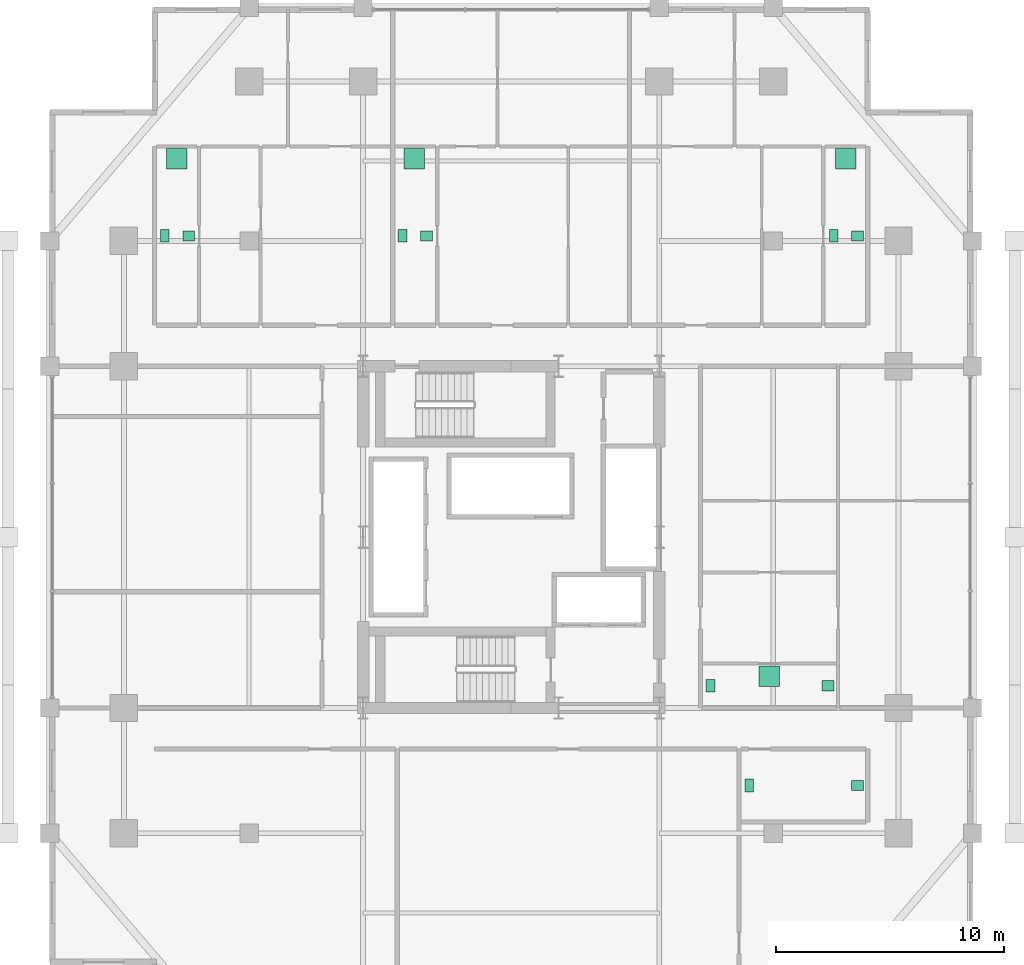
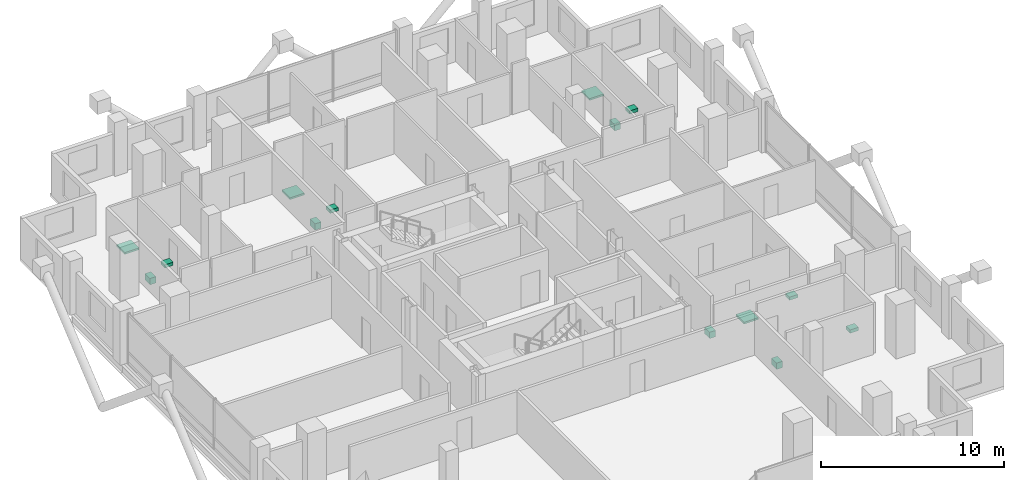
# One storey, part 22 of 22: 14 sanitary terminals.
"""IFC4 building model written with IfcOpenShell, lengths in metres."""

import ifcopenshell
import ifcopenshell.guid

model = None  # the IFC model being written
_history = None  # IfcOwnerHistory: only IFC2X3 demands one
_inside = {}  # id of a spatial element -> (the spatial element, [elements in it])
_under = {}  # id of a project, library or spatial element -> (it, [spatial elements below it])
_declared = {}  # id of a project -> (the project, [libraries it declares])
_typed = {}  # id of a type object -> (the type object, [elements of that type])
_made_of = {}  # id of a material, layer set ... -> (it, [elements and type objects made of it])


def new_model(schema):
    """Start an empty IFC model of exactly this schema.

    Asked for "IFC4X3", IfcOpenShell would pick the latest addendum, in which some entities
    have other attributes; the version numbers below select the first issue.
    IFC2X3 requires an IfcOwnerHistory on every rooted entity: one is made here for all.
    """
    global model, _history
    if schema == "IFC4X3":
        model = ifcopenshell.file(schema_version=(4, 3, 0, 0))
    else:
        model = ifcopenshell.file(schema=schema)
    _inside.clear()
    _under.clear()
    _declared.clear()
    _typed.clear()
    _made_of.clear()
    _history = None
    if model.schema == "IFC2X3":
        org = make("IfcOrganization", Name="unknown")
        user = make(
            "IfcPersonAndOrganization",
            ThePerson=make("IfcPerson", FamilyName="unknown"),
            TheOrganization=org,
        )
        app = make(
            "IfcApplication",
            ApplicationDeveloper=org,
            Version="unknown",
            ApplicationFullName="unknown",
            ApplicationIdentifier="unknown",
        )
        _history = make(
            "IfcOwnerHistory",
            OwningUser=user,
            OwningApplication=app,
            ChangeAction="ADDED",
            CreationDate=0,
        )
    return model


def make(cls, **values):
    """One entity of the class cls with the attributes given. An attribute that is None is left unset."""
    return model.create_entity(
        cls, **{name: value for name, value in values.items() if value is not None}
    )


def rooted(cls, **values):
    """An entity with a GlobalId (a new one), such as an element, a storey or a relation."""
    return make(cls, GlobalId=ifcopenshell.guid.new(), OwnerHistory=_history, **values)


def si_unit(unit_type, name, prefix=None):
    """IfcSIUnit, for example si_unit("LENGTHUNIT", "METRE", prefix="MILLI")."""
    return make("IfcSIUnit", UnitType=unit_type, Prefix=prefix, Name=name)


def assignment(units):
    """IfcUnitAssignment: the units of a project."""
    return None if units is None else make("IfcUnitAssignment", Units=units)


def point(xyz):
    """IfcCartesianPoint."""
    return None if xyz is None else make("IfcCartesianPoint", Coordinates=xyz)


def direction(xyz):
    """IfcDirection."""
    return None if xyz is None else make("IfcDirection", DirectionRatios=xyz)


def frame(location, z_axis=None, x_axis=None):
    """IfcAxis2Placement3D, a coordinate frame: its origin and axes. An axis left out is left unset."""
    return make(
        "IfcAxis2Placement3D",
        Location=point(location),
        Axis=direction(z_axis),
        RefDirection=direction(x_axis),
    )


def frame_2d(location, x_axis=None):
    """IfcAxis2Placement2D, a coordinate frame in the plane: its origin and x axis."""
    return make(
        "IfcAxis2Placement2D", Location=point(location), RefDirection=direction(x_axis)
    )


def origin():
    """The frame at (0, 0, 0) with its axes left unset."""
    return frame((0.0, 0.0, 0.0))


def origin_2d():
    """The frame at (0, 0) in the plane with its x axis left unset."""
    return frame_2d((0.0, 0.0))


def place(relative_to, where):
    """IfcLocalPlacement: puts the frame where relative to a parent placement (None: the world)."""
    return make(
        "IfcLocalPlacement", PlacementRelTo=relative_to, RelativePlacement=where
    )


def context(
    kind, dimensions, precision=None, world=None, true_north=None, identifier=None
):
    """IfcGeometricRepresentationContext, for example the 3D "Model" context."""
    return make(
        "IfcGeometricRepresentationContext",
        ContextIdentifier=identifier,
        ContextType=kind,
        CoordinateSpaceDimension=dimensions,
        Precision=precision,
        WorldCoordinateSystem=world,
        TrueNorth=true_north,
    )


def subcontext(parent, identifier, kind, view, scale=None):
    """IfcGeometricRepresentationSubContext, for example "Body" below "Model"."""
    return make(
        "IfcGeometricRepresentationSubContext",
        ContextIdentifier=identifier,
        ContextType=kind,
        ParentContext=parent,
        TargetScale=scale,
        TargetView=view,
    )


def project(units=None, contexts=None):
    """IfcProject with its units and contexts."""
    return rooted(
        "IfcProject",
        Name="project",
        RepresentationContexts=contexts,
        UnitsInContext=assignment(units),
    )


def spatial(cls, under=None, at=None, **own):
    """A site, building, storey or space (cls), placed at a placement, below another one or the project."""
    s = rooted(cls, ObjectPlacement=at, **own)
    if under is not None:
        _under.setdefault(under.id(), (under, []))[1].append(s)
    return s


def profile(cls, at=None, kind="AREA", **sizes):
    """A parametric profile (cls). Its sizes go by their IFC names, for example OverallWidth=200.0."""
    return make(cls, ProfileType=kind, Position=at, **sizes)


def rectangle(**sizes):
    """IfcRectangleProfileDef."""
    return profile("IfcRectangleProfileDef", **sizes)


def extrude(swept, where, along, depth):
    """IfcExtrudedAreaSolid: the profile swept, set in the frame where, extruded along a direction by depth."""
    return make(
        "IfcExtrudedAreaSolid",
        SweptArea=swept,
        Position=where,
        ExtrudedDirection=direction(along),
        Depth=depth,
    )


def shape(context_of_items, identifier, shape_type, items):
    """IfcShapeRepresentation: the items that make up one representation, for example the "Body"."""
    return make(
        "IfcShapeRepresentation",
        ContextOfItems=context_of_items,
        RepresentationIdentifier=identifier,
        RepresentationType=shape_type,
        Items=items,
    )


def material(Name=None, Category=None):
    """IfcMaterial."""
    return make("IfcMaterial", Name=Name, Category=Category)


def made_of(thing, what):
    """Note that an element or type object is made of a material, layer set ...; save() writes the relation."""
    if what is not None:
        _made_of.setdefault(what.id(), (what, []))[1].append(thing)
    return thing


def type_object(cls, material=None, **own):
    """A type object (cls), such as IfcWallType, which elements share."""
    return made_of(rooted(cls, **own), material)


def element(
    cls,
    number,
    at=None,
    inside=None,
    cuts=None,
    type_object=None,
    material=None,
    context=None,
    identifier="Body",
    shape_type=None,
    held_by="IfcProductDefinitionShape",
    body=None,
    shapes=None,
    **own,
):
    """One element of the class cls, such as IfcWall. Its Tag is "e" and its number.

    at: its placement. inside: the storey or other place that contains it. cuts: it is an
    opening in that element (IfcRelVoidsElement). A single representation is given by context,
    identifier, shape_type and body (its items); several are given by shapes. held_by: the class
    of the entity that holds the representations. save() writes the other relations.
    """
    e = rooted(cls, Tag="e%d" % number, ObjectPlacement=at, **own)
    if body is not None:
        shapes = [shape(context, identifier, shape_type, body)]
    if shapes is not None:
        e.Representation = make(held_by, Representations=shapes)
    if inside is not None:
        _inside.setdefault(inside.id(), (inside, []))[1].append(e)
    if cuts is not None:
        rooted(
            "IfcRelVoidsElement", RelatingBuildingElement=cuts, RelatedOpeningElement=e
        )
    if type_object is not None:
        _typed.setdefault(type_object.id(), (type_object, []))[1].append(e)
    return made_of(e, material)


def aggregate(whole, parts):
    """IfcRelAggregates: a whole, such as a stair, and the parts it consists of."""
    return rooted("IfcRelAggregates", RelatingObject=whole, RelatedObjects=parts)


def save(model, path):
    """Write the relations noted so far, then the file.

    IfcRelAggregates (storeys below a building ...), IfcRelContainedInSpatialStructure (elements
    in a storey), IfcRelDefinesByType, IfcRelAssociatesMaterial and IfcRelDeclares: one each for
    every whole, place, type object, material and project.
    """
    for whole, parts in _under.values():
        aggregate(whole, parts)
    for where, things in _inside.values():
        rooted(
            "IfcRelContainedInSpatialStructure",
            RelatedElements=things,
            RelatingStructure=where,
        )
    for kind, things in _typed.values():
        rooted("IfcRelDefinesByType", RelatedObjects=things, RelatingType=kind)
    for what, things in _made_of.values():
        rooted("IfcRelAssociatesMaterial", RelatedObjects=things, RelatingMaterial=what)
    for by, libraries in _declared.values():
        rooted("IfcRelDeclares", RelatingContext=by, RelatedDefinitions=libraries)
    model.write(path)


model = new_model("IFC4")

# Units and contexts
model_context = context("Model", 3, precision=1e-05, world=origin(), true_north=direction((0.0, 1.0)))
body_context = subcontext(model_context, "Body", "Model", "MODEL_VIEW")
ifc_project = project(units=[si_unit("LENGTHUNIT", "METRE"), si_unit("AREAUNIT", "SQUARE_METRE"), si_unit("VOLUMEUNIT", "CUBIC_METRE"), si_unit("PLANEANGLEUNIT", "RADIAN"), si_unit("MASSUNIT", "GRAM", prefix="KILO")], contexts=[model_context])

# Site, building, storey
site_placement = place(None, origin())
site = spatial("IfcSite", under=ifc_project, at=site_placement, CompositionType="ELEMENT")
building_placement = place(site_placement, origin())
building = spatial("IfcBuilding", under=site, at=building_placement, Name="Barlavira Tower and Art Museum", CompositionType="ELEMENT")
storey_placement = place(building_placement, frame((0.0, 0.0, 106.199951171875)))
storey = spatial("IfcBuildingStorey", under=building, at=storey_placement, Name="L26", CompositionType="ELEMENT", Elevation=106.199951171875)

# Sanitary terminals
ifc_material = material(Name="Vitreous glazed ceramic", Category="ceramic")
sanitary_terminal_type_1 = type_object("IfcSanitaryTerminalType", Name="Countertop Ceramic Wash Hand Basin", PredefinedType="WASHHANDBASIN", material=ifc_material)
for number, where, z_axis, x_axis, name in (
    (1, (15.199951171875, -10.89990234375, 0.740234375), (0.0, 0.0, 1.0), (1.0, 0.0, 0.0), "L26-S-SWC Wash Basin"),
    (2, (-14.14990234375, 13.22509765625, 0.740234375), (0.0, 0.0, 1.0), (1.0, 0.0, 0.0), "L26-N1-BTH1 Wash Basin"),
    (3, (-3.719970703125, 13.22509765625, 0.740234375), (0.0, 0.0, 1.0), (1.0, 0.0, 0.0), "L26-N2-BTH1 Wash Basin"),
    (4, (15.199951171875, 13.22509765625, 0.740234375), (0.0, 0.0, 1.0), (1.0, 0.0, 0.0), "L26-N3-BTH1 Wash Basin"),
    (5, (13.89990234375, -6.52490234375, 0.740234375), (0.0, 0.0, 1.0), (1.0, 0.0, 0.0), "L26-E1-BTH1 Wash Basin"),
):
    element("IfcSanitaryTerminal", number, at=place(storey_placement, frame(where, z_axis=z_axis, x_axis=x_axis)), inside=storey, type_object=sanitary_terminal_type_1, Name=name, PredefinedType="WASHHANDBASIN", context=body_context, shape_type="SweptSolid", body=[
        extrude(rectangle(XDim=0.52001953125, YDim=0.43994140625, at=origin_2d()), origin(), (0.0, 0.0, 1.0), 0.219970703125),
    ])
sanitary_terminal_type_2 = type_object("IfcSanitaryTerminalType", Name="Walk-In Thermostatic Rain Shower Unit", PredefinedType="SHOWER", material=ifc_material)
for number, where, z_axis, x_axis, name in (
    (6, (-14.675048828125, 16.60009765625, 0.0), (0.0, 0.0, 1.0), (1.0, 0.0, 0.0), "L26-N1-BTH1 Rain Shower"),
    (7, (-4.2451171875, 16.60009765625, 0.0), (0.0, 0.0, 1.0), (1.0, 0.0, 0.0), "L26-N2-BTH1 Rain Shower"),
    (8, (14.675048828125, 16.60009765625, 0.0), (0.0, 0.0, 1.0), (1.0, 0.0, 0.0), "L26-N3-BTH1 Rain Shower"),
    (9, (11.324951171875, -6.10009765625, 0.0), (0.0, 0.0, 1.0), (1.0, 0.0, 0.0), "L26-E1-BTH1 Rain Shower"),
):
    element("IfcSanitaryTerminal", number, at=place(storey_placement, frame(where, z_axis=z_axis, x_axis=x_axis)), inside=storey, type_object=sanitary_terminal_type_2, Name=name, PredefinedType="SHOWER", context=body_context, shape_type="SweptSolid", body=[
        extrude(rectangle(XDim=0.89990234375, YDim=0.89990234375, at=origin_2d()), origin(), (0.0, 0.0, 1.0), 0.1201171875),
    ])
sanitary_terminal_type_3 = type_object("IfcSanitaryTerminalType", Name="Wall-Hung Dual-Flush Vitreous WC Pan", PredefinedType="TOILETPAN", material=ifc_material)
for number, where, z_axis, x_axis, name in (
    (10, (10.449951171875, -10.89990234375, 0.0), (0.0, 0.0, 1.0), (1.0, 0.0, 0.0), "L26-S-SWC WC Pan"),
    (11, (-15.199951171875, 13.22509765625, 0.0), (0.0, 0.0, 1.0), (1.0, 0.0, 0.0), "L26-N1-BTH1 WC Pan"),
    (12, (-4.77001953125, 13.22509765625, 0.0), (0.0, 0.0, 1.0), (1.0, 0.0, 0.0), "L26-N2-BTH1 WC Pan"),
    (13, (14.14990234375, 13.22509765625, 0.0), (0.0, 0.0, 1.0), (1.0, 0.0, 0.0), "L26-N3-BTH1 WC Pan"),
    (14, (8.75, -6.52490234375, 0.0), (0.0, 0.0, 1.0), (1.0, 0.0, 0.0), "L26-E1-BTH1 WC Pan"),
):
    element("IfcSanitaryTerminal", number, at=place(storey_placement, frame(where, z_axis=z_axis, x_axis=x_axis)), inside=storey, type_object=sanitary_terminal_type_3, Name=name, PredefinedType="TOILETPAN", context=body_context, shape_type="SweptSolid", body=[
        extrude(rectangle(XDim=0.3798828125, YDim=0.56005859375, at=origin_2d()), origin(), (0.0, 0.0, 1.0), 0.419921875),
    ])

save(model, "model.ifc")
